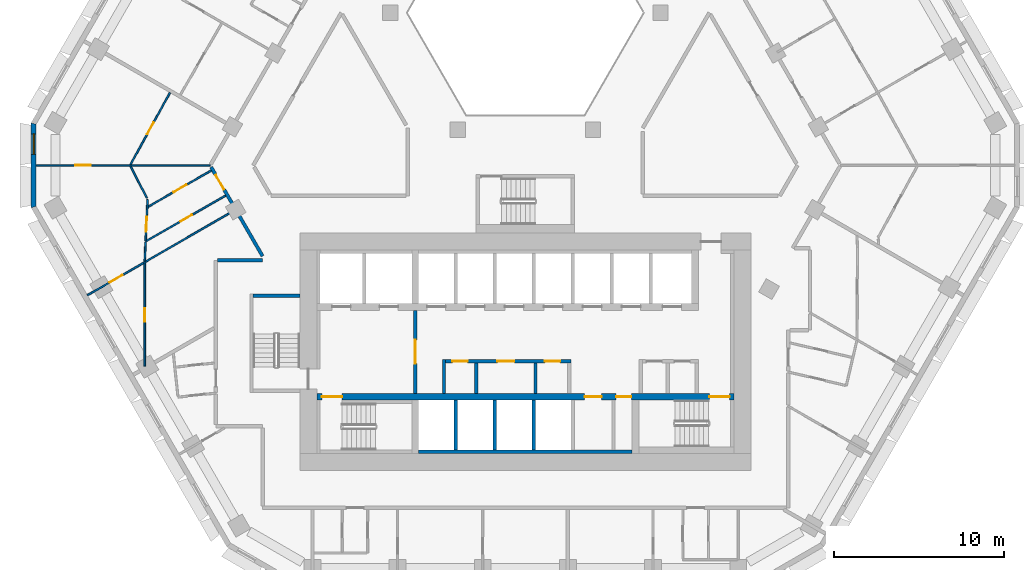
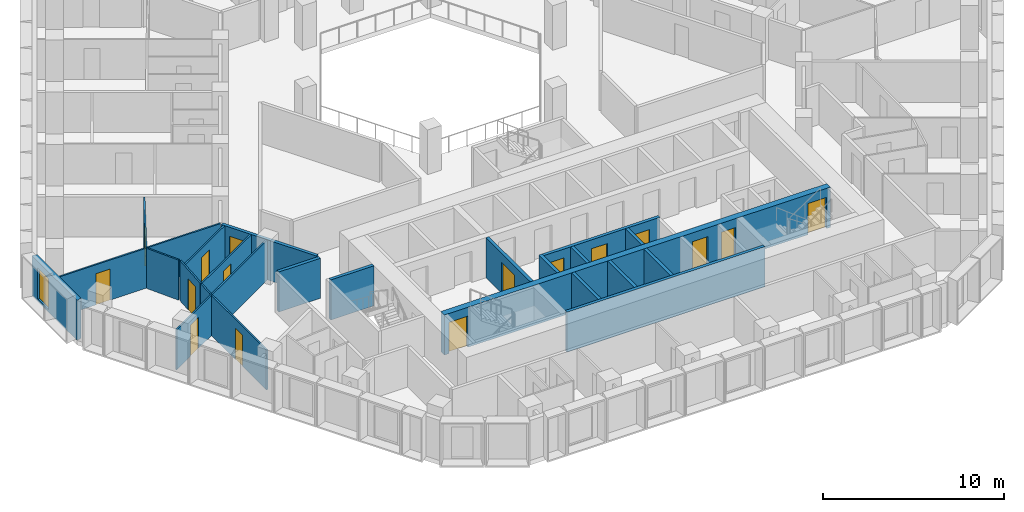
# One storey, part 4 of 16: 23 walls, 16 doors, 1 window, 17 openings.
"""IFC4 building model written with IfcOpenShell, lengths in metres."""

from ifc_helpers import new_model, si_unit, direction, frame, frame_2d, origin, place, context, subcontext, project, spatial, polyline, rectangle, outline, extrude, material, layer, layer_set, type_object, element, fill, save


model = new_model("IFC4")

# Units and contexts
model_context = context("Model", 3, precision=1e-05, world=origin(), true_north=direction((0.0, 1.0)))
body_context = subcontext(model_context, "Body", "Model", "MODEL_VIEW")
ifc_project = project(units=[si_unit("LENGTHUNIT", "METRE"), si_unit("AREAUNIT", "SQUARE_METRE"), si_unit("VOLUMEUNIT", "CUBIC_METRE"), si_unit("PLANEANGLEUNIT", "RADIAN"), si_unit("MASSUNIT", "GRAM", prefix="KILO")], contexts=[model_context])

# Site, building, storey
site_placement = place(None, origin())
site = spatial("IfcSite", under=ifc_project, at=site_placement, CompositionType="ELEMENT")
building_placement = place(site_placement, origin())
building = spatial("IfcBuilding", under=site, at=building_placement, Name="Beryl Residences", CompositionType="ELEMENT")
storey_placement = place(building_placement, frame((0.0, 0.0, 96.0)))
storey = spatial("IfcBuildingStorey", under=building, at=storey_placement, Name="L29", CompositionType="ELEMENT", Elevation=96.0)

# Wall, opening, window
ifc_material_1 = material(Name="Composite metal panel with mineral wool insulation")
ifc_layer_1 = layer(ifc_material_1, 0.300048828125)
ifc_layer_set_1 = layer_set([ifc_layer_1], Name="ES1 pale metal composite panel wall 300 mm")
wall_type_1 = type_object("IfcWallType", Name="ES1 pale metal composite panel wall 300 mm", PredefinedType="SOLIDWALL", material=ifc_layer_set_1)
wall_1_placement = place(storey_placement, frame((-29.007080078125, 1.5, 0.0), z_axis=(0.0, 0.0, 1.0), x_axis=(0.0, -1.0, 0.0)))
wall_1 = element("IfcWall", 1, at=wall_1_placement, inside=storey, type_object=wall_type_1, Name="ES1 external wall L29 NW-SW", PredefinedType="SOLIDWALL", context=body_context, shape_type="SweptSolid", body=[
    extrude(outline(polyline([(0.0, -0.14990234375), (5.0, -0.14990234375), (4.919677734375, 0.14990234375), (0.080322265625, 0.14990234375), (0.0, -0.14990234375)])), origin(), (0.0, 0.0, 1.0), 2.699951171875),
])
opening_1_placement = place(wall_1_placement, frame((0.64990234375, 0.0, 0.14990234375)))
opening_1 = element("IfcOpeningElement", 2, at=opening_1_placement, cuts=wall_1, Name="Opening W2", PredefinedType="OPENING", context=body_context, shape_type="SweptSolid", body=[
    extrude(rectangle(XDim=1.199951171875, YDim=2.10009765625, at=frame_2d((0.60009765625, 1.050048828125))), frame((0.0, 0.159912109375, 0.0), z_axis=(0.0, -1.0, 0.0), x_axis=(1.0, 0.0, 0.0)), (0.0, 0.0, 1.0), 0.320068359375),
])
ifc_material_2 = material(Name="Aluminium and clear glass", Category="aluminium")
window_type = type_object("IfcWindowType", Name="W2 chamfer window 1200 x 2100 mm", PartitioningType="SINGLE_PANEL", PredefinedType="WINDOW", material=ifc_material_2)
window_placement = place(opening_1_placement, origin())
window = element("IfcWindow", 3, at=window_placement, inside=storey, type_object=window_type, Name="W2 window L29 NW-SW 1", OverallHeight=2.10009765625, OverallWidth=1.199951171875, PartitioningType="SINGLE_PANEL", PredefinedType="WINDOW", context=body_context, shape_type="SweptSolid", body=[
    extrude(rectangle(XDim=1.199951171875, YDim=2.10009765625, at=frame_2d((0.60009765625, 1.050048828125))), frame((0.0, 0.030029296875, 0.0), z_axis=(0.0, -1.0, 0.0), x_axis=(1.0, 0.0, 0.0)), (0.0, 0.0, 1.0), 0.06005859375),
])
fill(opening_1, window)

# Wall
ifc_material_3 = material(Name="Gypsum board partition on steel studs", Category="steel")
ifc_layer_2 = layer(ifc_material_3, 0.10009765625)
ifc_layer_set_2 = layer_set([ifc_layer_2], Name="PT1 partition 100 mm gypsum board on steel studs")
wall_type_2 = type_object("IfcWallType", Name="PT1 partition 100 mm gypsum board on steel studs", PredefinedType="PARTITIONING", material=ifc_layer_set_2)
wall_2_placement = place(storey_placement, frame((-23.2890625, -1.053955078125, 0.0), z_axis=(0.0, 0.0, 1.0), x_axis=(0.458226112305, -0.888835659726, 0.0)))
element("IfcWall", 4, at=wall_2_placement, inside=storey, type_object=wall_type_2, Name="Wall PT1 L29 005", PredefinedType="PARTITIONING", context=body_context, shape_type="SweptSolid", body=[
    extrude(rectangle(XDim=2.10400390625, YDim=0.10009765625, at=frame_2d((1.052001953125, 0.0))), origin(), (0.0, 0.0, 1.0), 2.699951171875),
])

# Wall, opening, door
wall_3_placement = place(storey_placement, frame((-28.85693359375, -1.0009765625, 0.0), z_axis=(0.0, 0.0, 1.0), x_axis=(1.0, 0.0, 0.0)))
wall_3 = element("IfcWall", 5, at=wall_3_placement, inside=storey, type_object=wall_type_2, Name="Wall PT1 L29 026", PredefinedType="PARTITIONING", context=body_context, shape_type="SweptSolid", body=[
    extrude(rectangle(XDim=10.265869140625, YDim=0.10009765625, at=frame_2d((5.1328125, 0.0))), origin(), (0.0, 0.0, 1.0), 2.699951171875),
])
opening_2_placement = place(wall_3_placement, frame((2.320068359375, 0.0, 0.0)))
opening_2 = element("IfcOpeningElement", 6, at=opening_2_placement, cuts=wall_3, Name="Opening D0954", PredefinedType="OPENING", context=body_context, shape_type="SweptSolid", body=[
    extrude(rectangle(XDim=0.89990234375, YDim=2.10009765625, at=frame_2d((0.449951171875, 1.050048828125))), frame((0.0, 0.06005859375, 0.0), z_axis=(0.0, -1.0, 0.0), x_axis=(1.0, 0.0, 0.0)), (0.0, 0.0, 1.0), 0.1201171875),
])
ifc_material_4 = material(Name="Timber door leaf", Category="wood")
door_type_1 = type_object("IfcDoorType", Name="D2 room door 900 x 2100 mm", OperationType="SINGLE_SWING_LEFT", PredefinedType="DOOR", material=ifc_material_4)
door_1_placement = place(opening_2_placement, origin())
door_1 = element("IfcDoor", 7, at=door_1_placement, inside=storey, type_object=door_type_1, Name="Door D0954 L29 001", OperationType="SINGLE_SWING_RIGHT", OverallHeight=2.10009765625, OverallWidth=0.89990234375, PredefinedType="DOOR", context=body_context, shape_type="SweptSolid", body=[
    extrude(rectangle(XDim=0.89990234375, YDim=2.10009765625, at=frame_2d((0.449951171875, 1.050048828125))), frame((0.0, 0.02490234375, 0.0), z_axis=(0.0, -1.0, 0.0), x_axis=(1.0, 0.0, 0.0)), (0.0, 0.0, 1.0), 0.050048828125),
])
fill(opening_2, door_1)

wall_4_placement = place(storey_placement, frame((-23.2890625, -0.950927734375, 0.0), z_axis=(0.0, 0.0, 1.0), x_axis=(0.481164463081, 0.876630343684, 0.0)))
wall_4 = element("IfcWall", 8, at=wall_4_placement, inside=storey, type_object=wall_type_2, Name="Wall PT1 L29 041", PredefinedType="PARTITIONING", context=body_context, shape_type="SweptSolid", body=[
    extrude(rectangle(XDim=4.83447265625, YDim=0.10009765625, at=frame_2d((2.417236328125, 0.0))), origin(), (0.0, 0.0, 1.0), 2.699951171875),
])
opening_3_placement = place(wall_4_placement, frame((2.0390625, 0.0, 0.0)))
opening_3 = element("IfcOpeningElement", 9, at=opening_3_placement, cuts=wall_4, Name="Opening D0957", PredefinedType="OPENING", context=body_context, shape_type="SweptSolid", body=[
    extrude(rectangle(XDim=0.800048828125, YDim=2.10009765625, at=frame_2d((0.39990234375, 1.050048828125))), frame((0.0, 0.06005859375, 0.0), z_axis=(0.0, -1.0, 0.0), x_axis=(1.0, 0.0, 0.0)), (0.0, 0.0, 1.0), 0.1201171875),
])
ifc_material_5 = material(Name="Timber door leaf", Category="wood")
door_type_2 = type_object("IfcDoorType", Name="D3 bathroom door 800 x 2100 mm", OperationType="SINGLE_SWING_LEFT", PredefinedType="DOOR", material=ifc_material_5)
door_2_placement = place(opening_3_placement, origin())
door_2 = element("IfcDoor", 10, at=door_2_placement, inside=storey, type_object=door_type_2, Name="Door D0957 L29 001", OperationType="SINGLE_SWING_LEFT", OverallHeight=2.10009765625, OverallWidth=0.800048828125, PredefinedType="DOOR", context=body_context, shape_type="SweptSolid", body=[
    extrude(rectangle(XDim=0.800048828125, YDim=2.10009765625, at=frame_2d((0.39990234375, 1.050048828125))), frame((0.0, 0.02490234375, 0.0), z_axis=(0.0, -1.0, 0.0), x_axis=(1.0, 0.0, 0.0)), (0.0, 0.0, 1.0), 0.050048828125),
])
fill(opening_3, door_2)

wall_5_placement = place(storey_placement, frame((-22.39892578125, -5.449951171875, 0.0), z_axis=(0.0, 0.0, 1.0), x_axis=(0.049129140995, 0.998792434646, 0.0)))
wall_5 = element("IfcWall", 11, at=wall_5_placement, inside=storey, type_object=wall_type_2, Name="Wall PT1 L29 044", PredefinedType="PARTITIONING", context=body_context, shape_type="SweptSolid", body=[
    extrude(rectangle(XDim=2.43994140625, YDim=0.10009765625, at=frame_2d((1.219970703125, 0.0))), origin(), (0.0, 0.0, 1.0), 2.699951171875),
])
opening_4_placement = place(wall_5_placement, frame((0.52197265625, 0.0, 0.0)))
opening_4 = element("IfcOpeningElement", 12, at=opening_4_placement, cuts=wall_5, Name="Opening D0953", PredefinedType="OPENING", context=body_context, shape_type="SweptSolid", body=[
    extrude(rectangle(XDim=0.89990234375, YDim=2.10009765625, at=frame_2d((0.449951171875, 1.050048828125))), frame((0.0, 0.06005859375, 0.0), z_axis=(0.0, -1.0, 0.0), x_axis=(1.0, 0.0, 0.0)), (0.0, 0.0, 1.0), 0.1201171875),
])
door_3_placement = place(opening_4_placement, origin())
door_3 = element("IfcDoor", 13, at=door_3_placement, inside=storey, type_object=door_type_1, Name="Door D0953 L29 001", OperationType="SINGLE_SWING_LEFT", OverallHeight=2.10009765625, OverallWidth=0.89990234375, PredefinedType="DOOR", context=body_context, shape_type="SweptSolid", body=[
    extrude(rectangle(XDim=0.89990234375, YDim=2.10009765625, at=frame_2d((0.449951171875, 1.050048828125))), frame((0.0, 0.02490234375, 0.0), z_axis=(0.0, -1.0, 0.0), x_axis=(1.0, 0.0, 0.0)), (0.0, 0.0, 1.0), 0.050048828125),
])
fill(opening_4, door_3)

# Wall
wall_6_placement = place(storey_placement, frame((-22.447998046875, -6.65087890625, 0.0), z_axis=(0.0, 0.0, 1.0), x_axis=(0.040729401597, 0.99917021365, 0.0)))
element("IfcWall", 14, at=wall_6_placement, inside=storey, type_object=wall_type_2, Name="Wall PT1 L29 045", PredefinedType="PARTITIONING", context=body_context, shape_type="SweptSolid", body=[
    extrude(rectangle(XDim=1.126953125, YDim=0.10009765625, at=frame_2d((0.5634765625, 0.0))), origin(), (0.0, 0.0, 1.0), 2.699951171875),
])

# Wall, opening, door
wall_7_placement = place(storey_placement, frame((-22.449951171875, -12.845947265625, 0.0), z_axis=(0.0, 0.0, 1.0), x_axis=(0.0, 1.0, 0.0)))
wall_7 = element("IfcWall", 15, at=wall_7_placement, inside=storey, type_object=wall_type_2, Name="Wall PT1 L29 055", PredefinedType="PARTITIONING", context=body_context, shape_type="SweptSolid", body=[
    extrude(rectangle(XDim=6.077880859375, YDim=0.10009765625, at=frame_2d((3.0390625, 0.0))), origin(), (0.0, 0.0, 1.0), 2.699951171875),
])
opening_5_placement = place(wall_7_placement, frame((2.610107421875, 0.0, 0.0)))
opening_5 = element("IfcOpeningElement", 16, at=opening_5_placement, cuts=wall_7, Name="Opening D0956", PredefinedType="OPENING", context=body_context, shape_type="SweptSolid", body=[
    extrude(rectangle(XDim=0.800048828125, YDim=2.10009765625, at=frame_2d((0.39990234375, 1.050048828125))), frame((0.0, 0.06005859375, 0.0), z_axis=(0.0, -1.0, 0.0), x_axis=(1.0, 0.0, 0.0)), (0.0, 0.0, 1.0), 0.1201171875),
])
door_4_placement = place(opening_5_placement, origin())
door_4 = element("IfcDoor", 17, at=door_4_placement, inside=storey, type_object=door_type_2, Name="Door D0956 L29 001", OperationType="SINGLE_SWING_RIGHT", OverallHeight=2.10009765625, OverallWidth=0.800048828125, PredefinedType="DOOR", context=body_context, shape_type="SweptSolid", body=[
    extrude(rectangle(XDim=0.800048828125, YDim=2.10009765625, at=frame_2d((0.39990234375, 1.050048828125))), frame((0.0, 0.02490234375, 0.0), z_axis=(0.0, -1.0, 0.0), x_axis=(1.0, 0.0, 0.0)), (0.0, 0.0, 1.0), 0.050048828125),
])
fill(opening_5, door_4)

wall_8_placement = place(storey_placement, frame((-25.830078125, -8.662109375, 0.0), z_axis=(0.0, 0.0, 1.0), x_axis=(0.866022959057, 0.500004234368, 0.0)))
wall_8 = element("IfcWall", 18, at=wall_8_placement, inside=storey, type_object=wall_type_2, Name="Wall PT1 L29 062", PredefinedType="PARTITIONING", context=body_context, shape_type="SweptSolid", body=[
    extrude(rectangle(XDim=10.0, YDim=0.10009765625, at=frame_2d((5.0, 0.0))), origin(), (0.0, 0.0, 1.0), 2.699951171875),
])
opening_6_placement = place(wall_8_placement, frame((1.5009765625, 0.0, 0.0)))
opening_6 = element("IfcOpeningElement", 19, at=opening_6_placement, cuts=wall_8, Name="Opening D0955", PredefinedType="OPENING", context=body_context, shape_type="SweptSolid", body=[
    extrude(rectangle(XDim=0.89990234375, YDim=2.10009765625, at=frame_2d((0.449951171875, 1.050048828125))), frame((0.0, 0.06005859375, 0.0), z_axis=(0.0, -1.0, 0.0), x_axis=(1.0, 0.0, 0.0)), (0.0, 0.0, 1.0), 0.1201171875),
])
door_5_placement = place(opening_6_placement, origin())
door_5 = element("IfcDoor", 20, at=door_5_placement, inside=storey, type_object=door_type_1, Name="Door D0955 L29 001", OperationType="SINGLE_SWING_LEFT", OverallHeight=2.10009765625, OverallWidth=0.89990234375, PredefinedType="DOOR", context=body_context, shape_type="SweptSolid", body=[
    extrude(rectangle(XDim=0.89990234375, YDim=2.10009765625, at=frame_2d((0.449951171875, 1.050048828125))), frame((0.0, 0.02490234375, 0.0), z_axis=(0.0, -1.0, 0.0), x_axis=(1.0, 0.0, 0.0)), (0.0, 0.0, 1.0), 0.050048828125),
])
fill(opening_6, door_5)

wall_9_placement = place(storey_placement, frame((-22.40087890625, -5.489990234375, 0.0), z_axis=(0.0, 0.0, 1.0), x_axis=(0.867314404256, 0.497760709749, 0.0)))
wall_9 = element("IfcWall", 21, at=wall_9_placement, inside=storey, type_object=wall_type_2, Name="Wall PT1 L29 063", PredefinedType="PARTITIONING", context=body_context, shape_type="SweptSolid", body=[
    extrude(rectangle(XDim=5.4443359375, YDim=0.10009765625, at=frame_2d((2.72216796875, 0.0))), origin(), (0.0, 0.0, 1.0), 2.699951171875),
])
opening_7_placement = place(wall_9_placement, frame((2.3720703125, 0.0, 0.0)))
opening_7 = element("IfcOpeningElement", 22, at=opening_7_placement, cuts=wall_9, Name="Opening D0951", PredefinedType="OPENING", context=body_context, shape_type="SweptSolid", body=[
    extrude(rectangle(XDim=0.800048828125, YDim=2.10009765625, at=frame_2d((0.39990234375, 1.050048828125))), frame((0.0, 0.06005859375, 0.0), z_axis=(0.0, -1.0, 0.0), x_axis=(1.0, 0.0, 0.0)), (0.0, 0.0, 1.0), 0.1201171875),
])
door_6_placement = place(opening_7_placement, origin())
door_6 = element("IfcDoor", 23, at=door_6_placement, inside=storey, type_object=door_type_2, Name="Door D0951 L29 001", OperationType="SINGLE_SWING_LEFT", OverallHeight=2.10009765625, OverallWidth=0.800048828125, PredefinedType="DOOR", context=body_context, shape_type="SweptSolid", body=[
    extrude(rectangle(XDim=0.800048828125, YDim=2.10009765625, at=frame_2d((0.39990234375, 1.050048828125))), frame((0.0, 0.02490234375, 0.0), z_axis=(0.0, -1.0, 0.0), x_axis=(1.0, 0.0, 0.0)), (0.0, 0.0, 1.0), 0.050048828125),
])
fill(opening_7, door_6)

wall_10_placement = place(storey_placement, frame((-22.25, -3.443115234375, 0.0), z_axis=(0.0, 0.0, 1.0), x_axis=(0.867362741349, 0.497676476156, 0.0)))
wall_10 = element("IfcWall", 24, at=wall_10_placement, inside=storey, type_object=wall_type_2, Name="Wall PT1 L29 065", PredefinedType="PARTITIONING", context=body_context, shape_type="SweptSolid", body=[
    extrude(rectangle(XDim=4.2900390625, YDim=0.10009765625, at=frame_2d((2.14501953125, 0.0))), origin(), (0.0, 0.0, 1.0), 2.699951171875),
])
opening_8_placement = place(wall_10_placement, frame((1.715087890625, 0.0, 0.0)))
opening_8 = element("IfcOpeningElement", 25, at=opening_8_placement, cuts=wall_10, Name="Opening D0952", PredefinedType="OPENING", context=body_context, shape_type="SweptSolid", body=[
    extrude(rectangle(XDim=0.89990234375, YDim=2.10009765625, at=frame_2d((0.449951171875, 1.050048828125))), frame((0.0, 0.06005859375, 0.0), z_axis=(0.0, -1.0, 0.0), x_axis=(1.0, 0.0, 0.0)), (0.0, 0.0, 1.0), 0.1201171875),
])
door_7_placement = place(opening_8_placement, origin())
door_7 = element("IfcDoor", 26, at=door_7_placement, inside=storey, type_object=door_type_1, Name="Door D0952 L29 001", OperationType="SINGLE_SWING_RIGHT", OverallHeight=2.10009765625, OverallWidth=0.89990234375, PredefinedType="DOOR", context=body_context, shape_type="SweptSolid", body=[
    extrude(rectangle(XDim=0.89990234375, YDim=2.10009765625, at=frame_2d((0.449951171875, 1.050048828125))), frame((0.0, 0.02490234375, 0.0), z_axis=(0.0, -1.0, 0.0), x_axis=(1.0, 0.0, 0.0)), (0.0, 0.0, 1.0), 0.050048828125),
])
fill(opening_8, door_7)

ifc_material_6 = material(Name="Concrete masonry", Category="masonry")
ifc_layer_3 = layer(ifc_material_6, 0.199951171875)
ifc_layer_set_3 = layer_set([ifc_layer_3], Name="PT13 lobby wall 200 mm")
wall_type_3 = type_object("IfcWallType", Name="PT13 lobby wall 200 mm", PredefinedType="PARTITIONING", material=ifc_layer_set_3)
wall_11_placement = place(storey_placement, frame((-6.5, -14.449951171875, 0.0), z_axis=(0.0, 0.0, 1.0), x_axis=(0.0, 1.0, 0.0)))
wall_11 = element("IfcWall", 27, at=wall_11_placement, inside=storey, type_object=wall_type_3, Name="Lobby wall 11", PredefinedType="PARTITIONING", context=body_context, shape_type="SweptSolid", body=[
    extrude(rectangle(XDim=4.89990234375, YDim=0.199951171875, at=frame_2d((2.449951171875, 0.0))), origin(), (0.0, 0.0, 1.0), 2.699951171875),
])
opening_9_placement = place(wall_11_placement, frame((3.14990234375, 0.0, 0.0), z_axis=(0.0, 0.0, 1.0), x_axis=(-1.0, 0.0, 0.0)))
opening_9 = element("IfcOpeningElement", 28, at=opening_9_placement, cuts=wall_11, Name="Opening FD-FFL", PredefinedType="OPENING", context=body_context, shape_type="SweptSolid", body=[
    extrude(rectangle(XDim=1.39990234375, YDim=2.10009765625, at=frame_2d((0.699951171875, 1.050048828125))), frame((0.0, 0.10986328125, 0.0), z_axis=(0.0, -1.0, 0.0), x_axis=(1.0, 0.0, 0.0)), (0.0, 0.0, 1.0), 0.219970703125),
])
ifc_material_7 = material(Name="Steel door leaf in steel frame", Category="steel")
door_type_3 = type_object("IfcDoorType", Name="D5 lobby door 1400 x 2100 mm", OperationType="DOUBLE_DOOR_SINGLE_SWING", PredefinedType="DOOR", material=ifc_material_7)
door_8_placement = place(opening_9_placement, origin())
door_8 = element("IfcDoor", 29, at=door_8_placement, inside=storey, type_object=door_type_3, Name="Door FD-FFL L29 001", OperationType="DOUBLE_DOOR_SINGLE_SWING", OverallHeight=2.10009765625, OverallWidth=1.39990234375, PredefinedType="DOOR", context=body_context, shape_type="SweptSolid", body=[
    extrude(rectangle(XDim=1.39990234375, YDim=2.10009765625, at=frame_2d((0.699951171875, 1.050048828125))), frame((0.0, 0.02490234375, 0.0), z_axis=(0.0, -1.0, 0.0), x_axis=(1.0, 0.0, 0.0)), (0.0, 0.0, 1.0), 0.050048828125),
])
fill(opening_9, door_8)

# Wall
wall_12_placement = place(storey_placement, frame((-4.800048828125, -14.449951171875, 0.0), z_axis=(0.0, 0.0, 1.0), x_axis=(0.0, 1.0, 0.0)))
element("IfcWall", 30, at=wall_12_placement, inside=storey, type_object=wall_type_3, Name="Lobby wall 14", PredefinedType="PARTITIONING", context=body_context, shape_type="SweptSolid", body=[
    extrude(rectangle(XDim=2.0, YDim=0.199951171875, at=frame_2d((1.0, 0.0))), origin(), (0.0, 0.0, 1.0), 2.699951171875),
])

# Wall, openings, doors
wall_13_placement = place(storey_placement, frame((-4.699951171875, -12.550048828125, 0.0), z_axis=(0.0, 0.0, 1.0), x_axis=(1.0, 0.0, 0.0)))
wall_13 = element("IfcWall", 31, at=wall_13_placement, inside=storey, type_object=wall_type_3, Name="Lobby wall 15", PredefinedType="PARTITIONING", context=body_context, shape_type="SweptSolid", body=[
    extrude(rectangle(XDim=7.39990234375, YDim=0.199951171875, at=frame_2d((3.699951171875, 0.0))), origin(), (0.0, 0.0, 1.0), 2.699951171875),
])
opening_10_placement = place(wall_13_placement, frame((1.2998046875, 0.0, 0.0), z_axis=(0.0, 0.0, 1.0), x_axis=(-1.0, 0.0, 0.0)))
opening_10 = element("IfcOpeningElement", 32, at=opening_10_placement, cuts=wall_13, Name="Opening CD-D-A1-900", PredefinedType="OPENING", context=body_context, shape_type="SweptSolid", body=[
    extrude(rectangle(XDim=0.89990234375, YDim=2.10009765625, at=frame_2d((0.449951171875, 1.050048828125))), frame((0.0, 0.10986328125, 0.0), z_axis=(0.0, -1.0, 0.0), x_axis=(1.0, 0.0, 0.0)), (0.0, 0.0, 1.0), 0.219970703125),
])
opening_11_placement = place(wall_13_placement, frame((4.050048828125, 0.0, 0.0), z_axis=(0.0, 0.0, 1.0), x_axis=(-1.0, 0.0, 0.0)))
opening_11 = element("IfcOpeningElement", 33, at=opening_11_placement, cuts=wall_13, Name="Opening CD-D-A2", PredefinedType="OPENING", context=body_context, shape_type="SweptSolid", body=[
    extrude(rectangle(XDim=1.0, YDim=2.10009765625, at=frame_2d((0.5, 1.050048828125))), frame((0.0, 0.10986328125, 0.0), z_axis=(0.0, -1.0, 0.0), x_axis=(1.0, 0.0, 0.0)), (0.0, 0.0, 1.0), 0.219970703125),
])
opening_12_placement = place(wall_13_placement, frame((6.75, 0.0, 0.0), z_axis=(0.0, 0.0, 1.0), x_axis=(-1.0, 0.0, 0.0)))
opening_12 = element("IfcOpeningElement", 34, at=opening_12_placement, cuts=wall_13, Name="Opening CD-D-A3-900", PredefinedType="OPENING", context=body_context, shape_type="SweptSolid", body=[
    extrude(rectangle(XDim=0.89990234375, YDim=2.10009765625, at=frame_2d((0.449951171875, 1.050048828125))), frame((0.0, 0.10986328125, 0.0), z_axis=(0.0, -1.0, 0.0), x_axis=(1.0, 0.0, 0.0)), (0.0, 0.0, 1.0), 0.219970703125),
])
ifc_material_8 = material(Name="Steel door leaf in steel frame", Category="steel")
door_type_4 = type_object("IfcDoorType", Name="D18 service room door 1000 x 2100 mm", OperationType="SINGLE_SWING_LEFT", PredefinedType="DOOR", material=ifc_material_8)
door_9_placement = place(opening_11_placement, origin())
door_9 = element("IfcDoor", 35, at=door_9_placement, inside=storey, type_object=door_type_4, Name="Door CD-D-A2 L29 001", OperationType="SINGLE_SWING_LEFT", OverallHeight=2.10009765625, OverallWidth=1.0, PredefinedType="DOOR", context=body_context, shape_type="SweptSolid", body=[
    extrude(rectangle(XDim=1.0, YDim=2.10009765625, at=frame_2d((0.5, 1.050048828125))), frame((0.0, 0.02490234375, 0.0), z_axis=(0.0, -1.0, 0.0), x_axis=(1.0, 0.0, 0.0)), (0.0, 0.0, 1.0), 0.050048828125),
])
fill(opening_11, door_9)
ifc_material_9 = material(Name="Steel door leaf in steel frame", Category="steel")
door_type_5 = type_object("IfcDoorType", Name="D6 service room door 900 x 2100 mm", OperationType="SINGLE_SWING_LEFT", PredefinedType="DOOR", material=ifc_material_9)
door_10_placement = place(opening_10_placement, origin())
door_10 = element("IfcDoor", 36, at=door_10_placement, inside=storey, type_object=door_type_5, Name="Door CD-D-A1-900 L29 001", OperationType="SINGLE_SWING_RIGHT", OverallHeight=2.10009765625, OverallWidth=0.89990234375, PredefinedType="DOOR", context=body_context, shape_type="SweptSolid", body=[
    extrude(rectangle(XDim=0.89990234375, YDim=2.10009765625, at=frame_2d((0.449951171875, 1.050048828125))), frame((0.0, 0.02490234375, 0.0), z_axis=(0.0, -1.0, 0.0), x_axis=(1.0, 0.0, 0.0)), (0.0, 0.0, 1.0), 0.050048828125),
])
fill(opening_10, door_10)
door_11_placement = place(opening_12_placement, origin())
door_11 = element("IfcDoor", 37, at=door_11_placement, inside=storey, type_object=door_type_5, Name="Door CD-D-A3-900 L29 001", OperationType="SINGLE_SWING_RIGHT", OverallHeight=2.10009765625, OverallWidth=0.89990234375, PredefinedType="DOOR", context=body_context, shape_type="SweptSolid", body=[
    extrude(rectangle(XDim=0.89990234375, YDim=2.10009765625, at=frame_2d((0.449951171875, 1.050048828125))), frame((0.0, 0.02490234375, 0.0), z_axis=(0.0, -1.0, 0.0), x_axis=(1.0, 0.0, 0.0)), (0.0, 0.0, 1.0), 0.050048828125),
])
fill(opening_12, door_11)

# Wall, opening, door
ifc_material_10 = material(Name="Double stud gypsum board wall")
ifc_layer_4 = layer(ifc_material_10, 0.199951171875)
ifc_layer_set_4 = layer_set([ifc_layer_4], Name="PT4 corridor wall 200 mm double stud")
wall_type_4 = type_object("IfcWallType", Name="PT4 corridor wall 200 mm double stud", PredefinedType="PARTITIONING", material=ifc_layer_set_4)
wall_14_placement = place(storey_placement, frame((-18.532958984375, -1.10107421875, 0.0), z_axis=(0.0, 0.0, 1.0), x_axis=(0.500022085096, -0.866012652573, 0.0)))
wall_14 = element("IfcWall", 38, at=wall_14_placement, inside=storey, type_object=wall_type_4, Name="Wall PT4 L29 003", PredefinedType="PARTITIONING", context=body_context, shape_type="SweptSolid", body=[
    extrude(rectangle(XDim=6.065673828125, YDim=0.199951171875, at=frame_2d((3.03271484375, 0.0))), origin(), (0.0, 0.0, 1.0), 2.699951171875),
])
opening_13_placement = place(wall_14_placement, frame((0.531982421875, 0.0, 0.0)))
opening_13 = element("IfcOpeningElement", 39, at=opening_13_placement, cuts=wall_14, Name="Opening D0950", PredefinedType="OPENING", context=body_context, shape_type="SweptSolid", body=[
    extrude(rectangle(XDim=1.0, YDim=2.10009765625, at=frame_2d((0.5, 1.050048828125))), frame((0.0, 0.10986328125, 0.0), z_axis=(0.0, -1.0, 0.0), x_axis=(1.0, 0.0, 0.0)), (0.0, 0.0, 1.0), 0.219970703125),
])
ifc_material_11 = material(Name="Timber door leaf", Category="wood")
door_type_6 = type_object("IfcDoorType", Name="D1 flat entrance door 1000 x 2100 mm", OperationType="SINGLE_SWING_LEFT", PredefinedType="DOOR", material=ifc_material_11)
door_12_placement = place(opening_13_placement, origin())
door_12 = element("IfcDoor", 40, at=door_12_placement, inside=storey, type_object=door_type_6, Name="Door D0950 L29 001", OperationType="SINGLE_SWING_RIGHT", OverallHeight=2.10009765625, OverallWidth=1.0, PredefinedType="DOOR", context=body_context, shape_type="SweptSolid", body=[
    extrude(rectangle(XDim=1.0, YDim=2.10009765625, at=frame_2d((0.5, 1.050048828125))), frame((0.0, 0.02490234375, 0.0), z_axis=(0.0, -1.0, 0.0), x_axis=(1.0, 0.0, 0.0)), (0.0, 0.0, 1.0), 0.050048828125),
])
fill(opening_13, door_12)

# Walls
wall_15_placement = place(storey_placement, frame((-18.14990234375, -6.60009765625, 0.0), z_axis=(0.0, 0.0, 1.0), x_axis=(1.0, 0.0, 0.0)))
element("IfcWall", 41, at=wall_15_placement, inside=storey, type_object=wall_type_4, Name="Wall PT4 L29 013", PredefinedType="PARTITIONING", context=body_context, shape_type="SweptSolid", body=[
    extrude(rectangle(XDim=2.64892578125, YDim=0.199951171875, at=frame_2d((1.324462890625, 0.0))), origin(), (0.0, 0.0, 1.0), 2.699951171875),
])
ifc_material_12 = material(Name="Concrete C40/50", Category="concrete")
ifc_layer_5 = layer(ifc_material_12, 0.199951171875)
ifc_layer_set_5 = layer_set([ifc_layer_5], Name="PT5 stair enclosure wall 200 mm reinforced concrete C40/50")
wall_type_5 = type_object("IfcWallType", Name="PT5 stair enclosure wall 200 mm reinforced concrete C40/50", PredefinedType="SOLIDWALL", material=ifc_layer_set_5)
wall_16_placement = place(storey_placement, frame((-16.050048828125, -8.699951171875, 0.0), z_axis=(0.0, 0.0, 1.0), x_axis=(1.0, 0.0, 0.0)))
element("IfcWall", 42, at=wall_16_placement, inside=storey, type_object=wall_type_5, Name="Stair wall 03", PredefinedType="SOLIDWALL", context=body_context, shape_type="SweptSolid", body=[
    extrude(rectangle(XDim=2.75, YDim=0.199951171875, at=frame_2d((1.375, 0.0))), origin(), (0.0, 0.0, 1.0), 2.699951171875),
])
ifc_material_13 = material(Name="Concrete C40/50", Category="concrete")
ifc_layer_6 = layer(ifc_material_13, 0.199951171875)
ifc_layer_set_6 = layer_set([ifc_layer_6], Name="PT6 lift shaft wall 200 mm reinforced concrete C40/50")
wall_type_6 = type_object("IfcWallType", Name="PT6 lift shaft wall 200 mm reinforced concrete C40/50", PredefinedType="SOLIDWALL", material=ifc_layer_set_6)
wall_17_placement = place(storey_placement, frame((-6.300048828125, -17.89990234375, 0.0), z_axis=(0.0, 0.0, 1.0), x_axis=(1.0, 0.0, 0.0)))
element("IfcWall", 43, at=wall_17_placement, inside=storey, type_object=wall_type_6, Name="Lift shaft wall 12", PredefinedType="SOLIDWALL", context=body_context, shape_type="SweptSolid", body=[
    extrude(rectangle(XDim=12.60009765625, YDim=0.199951171875, at=frame_2d((6.300048828125, 0.0))), origin(), (0.0, 0.0, 1.0), 2.699951171875),
])
for number, where, z_axis, x_axis, name in (
    (44, (-4.10009765625, -17.800048828125, 0.0), (0.0, 0.0, 1.0), (0.0, 1.0, 0.0), "Lift shaft wall 16"),
    (45, (-1.800048828125, -17.800048828125, 0.0), (0.0, 0.0, 1.0), (0.0, 1.0, 0.0), "Lift shaft wall 19"),
    (46, (0.5, -17.800048828125, 0.0), (0.0, 0.0, 1.0), (0.0, 1.0, 0.0), "Lift shaft wall 21"),
):
    element("IfcWall", number, at=place(storey_placement, frame(where, z_axis=z_axis, x_axis=x_axis)), inside=storey, type_object=wall_type_6, Name=name, PredefinedType="SOLIDWALL", context=body_context, shape_type="SweptSolid", body=[
        extrude(rectangle(XDim=2.949951171875, YDim=0.199951171875, at=frame_2d((1.47509765625, 0.0))), origin(), (0.0, 0.0, 1.0), 2.699951171875),
    ])
ifc_material_14 = material(Name="Concrete masonry", Category="masonry")
ifc_layer_7 = layer(ifc_material_14, 0.199951171875)
ifc_layer_set_7 = layer_set([ifc_layer_7], Name="PT8-200 service room wall 200 mm")
wall_type_7 = type_object("IfcWallType", Name="PT8-200 service room wall 200 mm", PredefinedType="PARTITIONING", material=ifc_layer_set_7)
for number, where, z_axis, x_axis, name in (
    (47, (-2.89990234375, -14.449951171875, 0.0), (0.0, 0.0, 1.0), (0.0, 1.0, 0.0), "Core room wall 18"),
    (48, (0.60009765625, -14.449951171875, 0.0), (0.0, 0.0, 1.0), (0.0, 1.0, 0.0), "Core room wall 23"),
):
    element("IfcWall", number, at=place(storey_placement, frame(where, z_axis=z_axis, x_axis=x_axis)), inside=storey, type_object=wall_type_7, Name=name, PredefinedType="PARTITIONING", context=body_context, shape_type="SweptSolid", body=[
        extrude(rectangle(XDim=1.800048828125, YDim=0.199951171875, at=frame_2d((0.89990234375, 0.0))), origin(), (0.0, 0.0, 1.0), 2.699951171875),
    ])

# Wall, openings, doors
ifc_material_15 = material(Name="Concrete C70/85", Category="concrete")
ifc_layer_8 = layer(ifc_material_15, 0.39990234375)
ifc_layer_set_8 = layer_set([ifc_layer_8], Name="SW7 core internal wall 400 mm C70/85")
wall_type_8 = type_object("IfcWallType", Name="SW7 core internal wall 400 mm C70/85", PredefinedType="SHEAR", material=ifc_layer_set_8)
wall_18_placement = place(storey_placement, frame((-12.300048828125, -14.64990234375, 0.0), z_axis=(0.0, 0.0, 1.0), x_axis=(1.0, 0.0, 0.0)))
wall_18 = element("IfcWall", 49, at=wall_18_placement, inside=storey, type_object=wall_type_8, Name="Core wall SP1 L29", PredefinedType="SHEAR", context=body_context, shape_type="SweptSolid", body=[
    extrude(rectangle(XDim=24.60009765625, YDim=0.39990234375, at=frame_2d((12.300048828125, 0.0))), origin(), (0.0, 0.0, 1.0), 2.699951171875),
])
opening_14_placement = place(wall_18_placement, frame((1.5, 0.0, 0.0), z_axis=(0.0, 0.0, 1.0), x_axis=(-1.0, 0.0, 0.0)))
opening_14 = element("IfcOpeningElement", 50, at=opening_14_placement, cuts=wall_18, Name="Opening SD-1", PredefinedType="OPENING", context=body_context, shape_type="SweptSolid", body=[
    extrude(rectangle(XDim=1.199951171875, YDim=2.10009765625, at=frame_2d((0.60009765625, 1.050048828125))), frame((0.0, 0.2099609375, 0.0), z_axis=(0.0, -1.0, 0.0), x_axis=(1.0, 0.0, 0.0)), (0.0, 0.0, 1.0), 0.419921875),
])
opening_15_placement = place(wall_18_placement, frame((24.349853515625, 0.0, 0.0), z_axis=(0.0, 0.0, 1.0), x_axis=(-1.0, 0.0, 0.0)))
opening_15 = element("IfcOpeningElement", 51, at=opening_15_placement, cuts=wall_18, Name="Opening SD-3", PredefinedType="OPENING", context=body_context, shape_type="SweptSolid", body=[
    extrude(rectangle(XDim=1.199951171875, YDim=2.10009765625, at=frame_2d((0.60009765625, 1.050048828125))), frame((0.0, 0.2099609375, 0.0), z_axis=(0.0, -1.0, 0.0), x_axis=(1.0, 0.0, 0.0)), (0.0, 0.0, 1.0), 0.419921875),
])
opening_16_placement = place(wall_18_placement, frame((16.800048828125, 0.0, 0.0), z_axis=(0.0, 0.0, 1.0), x_axis=(-1.0, 0.0, 0.0)))
opening_16 = element("IfcOpeningElement", 52, at=opening_16_placement, cuts=wall_18, Name="Opening CD-D-S1", PredefinedType="OPENING", context=body_context, shape_type="SweptSolid", body=[
    extrude(rectangle(XDim=1.0, YDim=2.10009765625, at=frame_2d((0.5, 1.050048828125))), frame((0.0, 0.2099609375, 0.0), z_axis=(0.0, -1.0, 0.0), x_axis=(1.0, 0.0, 0.0)), (0.0, 0.0, 1.0), 0.419921875),
])
opening_17_placement = place(wall_18_placement, frame((18.5498046875, 0.0, 0.0), z_axis=(0.0, 0.0, 1.0), x_axis=(-1.0, 0.0, 0.0)))
opening_17 = element("IfcOpeningElement", 53, at=opening_17_placement, cuts=wall_18, Name="Opening RD-D-S2", PredefinedType="OPENING", context=body_context, shape_type="SweptSolid", body=[
    extrude(rectangle(XDim=0.89990234375, YDim=2.10009765625, at=frame_2d((0.449951171875, 1.050048828125))), frame((0.0, 0.2099609375, 0.0), z_axis=(0.0, -1.0, 0.0), x_axis=(1.0, 0.0, 0.0)), (0.0, 0.0, 1.0), 0.419921875),
])
door_13_placement = place(opening_16_placement, origin())
door_13 = element("IfcDoor", 54, at=door_13_placement, inside=storey, type_object=door_type_4, Name="Door CD-D-S1 L29 001", OperationType="SINGLE_SWING_RIGHT", OverallHeight=2.10009765625, OverallWidth=1.0, PredefinedType="DOOR", context=body_context, shape_type="SweptSolid", body=[
    extrude(rectangle(XDim=1.0, YDim=2.10009765625, at=frame_2d((0.5, 1.050048828125))), frame((0.0, 0.02490234375, 0.0), z_axis=(0.0, -1.0, 0.0), x_axis=(1.0, 0.0, 0.0)), (0.0, 0.0, 1.0), 0.050048828125),
])
fill(opening_16, door_13)
ifc_material_16 = material(Name="Steel door leaf in steel frame", Category="steel")
door_type_7 = type_object("IfcDoorType", Name="D23 riser door 900 x 2100 mm", OperationType="SINGLE_SWING_LEFT", PredefinedType="DOOR", material=ifc_material_16)
door_14_placement = place(opening_17_placement, origin())
door_14 = element("IfcDoor", 55, at=door_14_placement, inside=storey, type_object=door_type_7, Name="Door RD-D-S2 L29 001", OperationType="SINGLE_SWING_LEFT", OverallHeight=2.10009765625, OverallWidth=0.89990234375, PredefinedType="DOOR", context=body_context, shape_type="SweptSolid", body=[
    extrude(rectangle(XDim=0.89990234375, YDim=2.10009765625, at=frame_2d((0.449951171875, 1.050048828125))), frame((0.0, 0.02490234375, 0.0), z_axis=(0.0, -1.0, 0.0), x_axis=(1.0, 0.0, 0.0)), (0.0, 0.0, 1.0), 0.050048828125),
])
fill(opening_17, door_14)
ifc_material_17 = material(Name="Steel door leaf in steel frame", Category="steel")
door_type_8 = type_object("IfcDoorType", Name="D4 stair door 1200 x 2100 mm", OperationType="SINGLE_SWING_LEFT", PredefinedType="DOOR", material=ifc_material_17)
door_15_placement = place(opening_14_placement, origin())
door_15 = element("IfcDoor", 56, at=door_15_placement, inside=storey, type_object=door_type_8, Name="Door SD-1 L29 001", OperationType="SINGLE_SWING_RIGHT", OverallHeight=2.10009765625, OverallWidth=1.199951171875, PredefinedType="DOOR", context=body_context, shape_type="SweptSolid", body=[
    extrude(rectangle(XDim=1.199951171875, YDim=2.10009765625, at=frame_2d((0.60009765625, 1.050048828125))), frame((0.0, 0.02490234375, 0.0), z_axis=(0.0, -1.0, 0.0), x_axis=(1.0, 0.0, 0.0)), (0.0, 0.0, 1.0), 0.050048828125),
])
fill(opening_14, door_15)
door_16_placement = place(opening_15_placement, origin())
door_16 = element("IfcDoor", 57, at=door_16_placement, inside=storey, type_object=door_type_8, Name="Door SD-3 L29 001", OperationType="SINGLE_SWING_RIGHT", OverallHeight=2.10009765625, OverallWidth=1.199951171875, PredefinedType="DOOR", context=body_context, shape_type="SweptSolid", body=[
    extrude(rectangle(XDim=1.199951171875, YDim=2.10009765625, at=frame_2d((0.60009765625, 1.050048828125))), frame((0.0, 0.02490234375, 0.0), z_axis=(0.0, -1.0, 0.0), x_axis=(1.0, 0.0, 0.0)), (0.0, 0.0, 1.0), 0.050048828125),
])
fill(opening_15, door_16)

save(model, "model.ifc")
